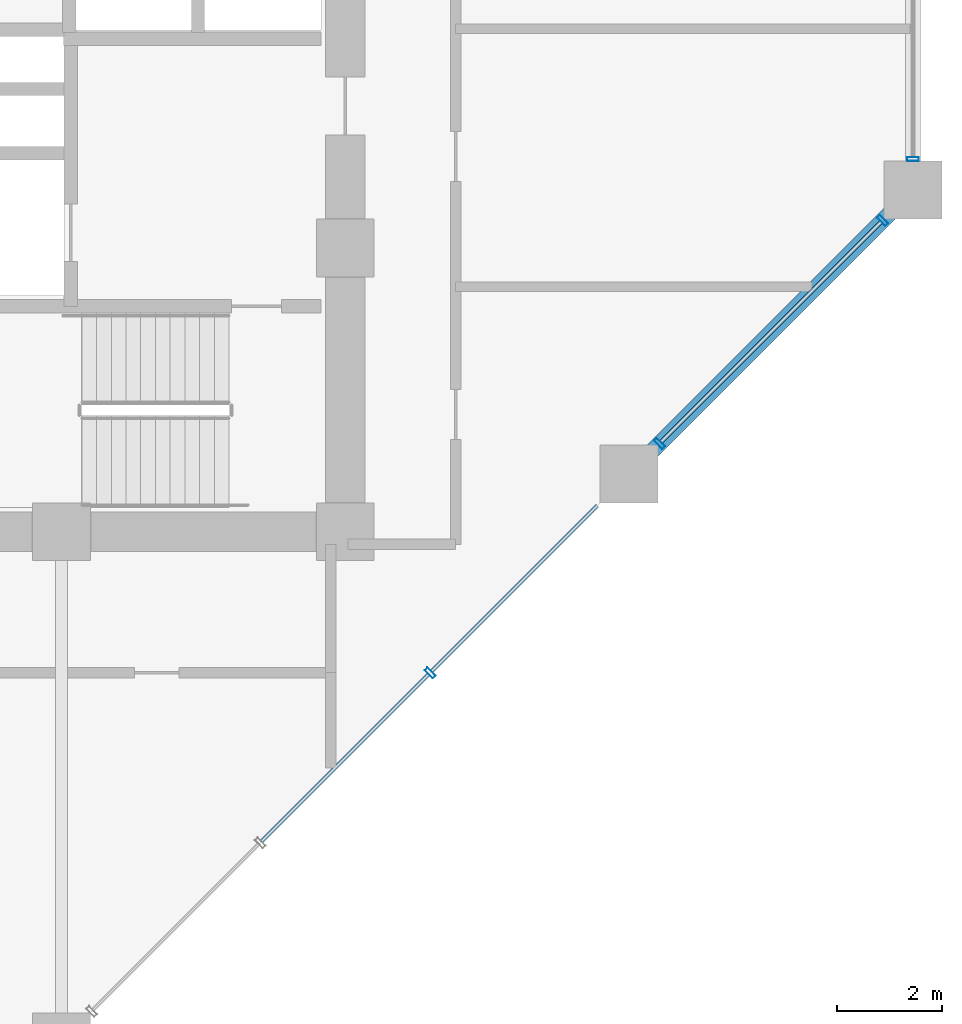
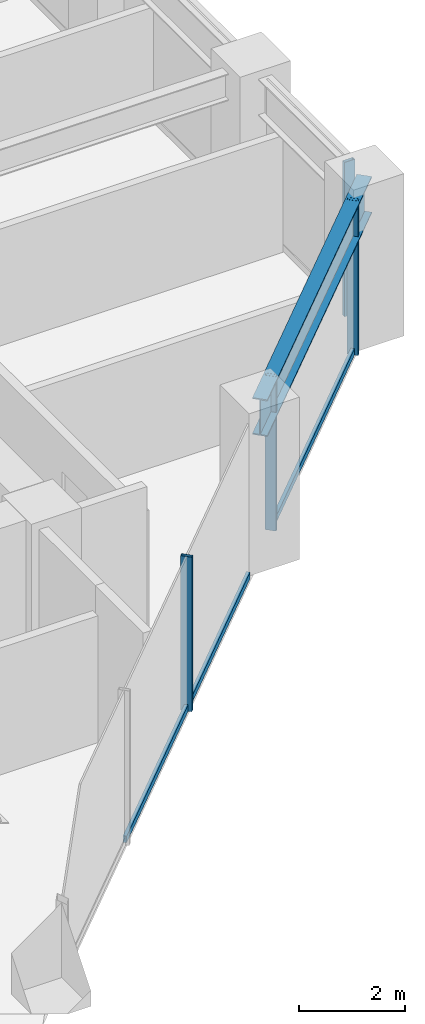
# One storey, part 8 of 25: 7 members, 1 beam, 2 elements without a shape of their own.
"""IFC4 building model written with IfcOpenShell, lengths in metres."""

from ifc_helpers import new_model, si_unit, direction, frame, origin, origin_2d, place, context, subcontext, project, spatial, hollow_rectangle, i_section, extrude, material, layer, layer_set, material_profile, profile_set, type_object, element, aggregate, save


model = new_model("IFC4")

# Units and contexts
model_context = context("Model", 3, precision=1e-05, world=origin(), true_north=direction((0.0, 1.0)))
body_context = subcontext(model_context, "Body", "Model", "MODEL_VIEW")
ifc_project = project(units=[si_unit("LENGTHUNIT", "METRE"), si_unit("AREAUNIT", "SQUARE_METRE"), si_unit("VOLUMEUNIT", "CUBIC_METRE"), si_unit("PLANEANGLEUNIT", "RADIAN"), si_unit("MASSUNIT", "GRAM", prefix="KILO")], contexts=[model_context])

# Site, building, storey
site_placement = place(None, origin())
site = spatial("IfcSite", under=ifc_project, at=site_placement, CompositionType="ELEMENT")
building_placement = place(site_placement, origin())
building = spatial("IfcBuilding", under=site, at=building_placement, Name="Surkhivell Harbour Commons", CompositionType="ELEMENT")
storey_placement = place(building_placement, frame((0.0, 0.0, 113.25)))
storey = spatial("IfcBuildingStorey", under=building, at=storey_placement, Name="L29", CompositionType="ELEMENT", Elevation=113.25)

# Beam
ifc_material_1 = material(Name="Steel S460", Category="steel")
ifc_material_profile_1 = material_profile(ifc_material_1, i_section(OverallWidth=0.2939453125, OverallDepth=0.85107421875, WebThickness=0.01611328125, FlangeThickness=0.02685546875, at=origin_2d()), Name="UB838x292x226")
ifc_profile_set_1 = profile_set([ifc_material_profile_1], Name="Steel S460")
beam_type = type_object("IfcBeamType", Name="BM-SPN-838", PredefinedType="SPANDREL", material=ifc_profile_set_1)
beam_placement = place(storey_placement, frame((16.199951171875, -9.699951171875, 3.14453125), z_axis=(0.707122765516, 0.707090796496, 0.0), x_axis=(-0.707090796496, 0.707122765516, 0.0)))
element("IfcBeam", 1, at=beam_placement, inside=storey, type_object=beam_type, Name="L29 Tube Spandrel (16.2,-9.7)", PredefinedType="SPANDREL", context=body_context, shape_type="SweptSolid", body=[
    extrude(i_section(OverallWidth=0.2939453125, OverallDepth=0.85107421875, WebThickness=0.01611328125, FlangeThickness=0.02685546875, at=origin_2d()), origin(), (0.0, 0.0, 1.0), 7.63671875),
])

# Curtain wall, members
ifc_material_2 = material(Name="Anodised pale-metal aluminium and insulated glazing", Category="aluminium")
ifc_layer = layer(ifc_material_2, 0.205078125)
ifc_layer_set = layer_set([ifc_layer], Name="Anodised pale-metal aluminium and insulated glazing")
curtain_wall_type = type_object("IfcCurtainWallType", Name="CW-SYS-Z2", PredefinedType="NOTDEFINED", material=ifc_layer_set)
curtain_wall_1_placement = place(storey_placement, origin())
curtain_wall_1 = element("IfcCurtainWall", 2, at=curtain_wall_1_placement, inside=storey, type_object=curtain_wall_type, Name="L29 Curtain Wall CW-L29-E01", PredefinedType="NOTDEFINED")
ifc_material_3 = material(Name="Anodised pale-metal aluminium alloy 6063-T6", Category="aluminium")
ifc_material_profile_2 = material_profile(ifc_material_3, hollow_rectangle(XDim=0.074951171875, YDim=0.219970703125, WallThickness=0.00390625, at=origin_2d()), Name="ALU-MULL-75x220")
ifc_profile_set_2 = profile_set([ifc_material_profile_2], Name="Anodised pale-metal aluminium alloy 6063-T6")
member_type_1 = type_object("IfcMemberType", Name="CWM-220", PredefinedType="MULLION", material=ifc_profile_set_2)
member_1_placement = place(storey_placement, frame((12.416015625, -13.48388671875, 0.0), z_axis=(0.0, 0.0, 1.0), x_axis=(0.707106781187, 0.707106781187, 0.0)))
member_1 = element("IfcMember", 3, at=member_1_placement, type_object=member_type_1, Name="CW-Z2 mullion 4", PredefinedType="MULLION", context=body_context, shape_type="SweptSolid", body=[
    extrude(hollow_rectangle(XDim=0.074951171875, YDim=0.219970703125, WallThickness=0.00390625, at=origin_2d()), origin(), (0.0, 0.0, 1.0), 3.570068359375),
])
member_2_placement = place(storey_placement, frame((16.7783203125, -9.121826171875, 0.0), z_axis=(0.0, 0.0, 1.0), x_axis=(0.707106781187, 0.707106781187, 0.0)))
member_2 = element("IfcMember", 4, at=member_2_placement, type_object=member_type_1, Name="CW-Z2 mullion 5", PredefinedType="MULLION", context=body_context, shape_type="SweptSolid", body=[
    extrude(hollow_rectangle(XDim=0.074951171875, YDim=0.219970703125, WallThickness=0.00390625, at=origin_2d()), origin(), (0.0, 0.0, 1.0), 3.570068359375),
])
member_3_placement = place(storey_placement, frame((21.021728515625, -4.878173828125, 0.0), z_axis=(0.0, 0.0, 1.0), x_axis=(0.707106781187, 0.707106781187, 0.0)))
member_3 = element("IfcMember", 5, at=member_3_placement, type_object=member_type_1, Name="CW-Z2 mullion 6", PredefinedType="MULLION", context=body_context, shape_type="SweptSolid", body=[
    extrude(hollow_rectangle(XDim=0.074951171875, YDim=0.219970703125, WallThickness=0.00390625, at=origin_2d()), origin(), (0.0, 0.0, 1.0), 3.570068359375),
])

# Curtain wall, member
curtain_wall_2_placement = place(storey_placement, origin())
curtain_wall_2 = element("IfcCurtainWall", 6, at=curtain_wall_2_placement, inside=storey, type_object=curtain_wall_type, Name="L29 Curtain Wall CW-L29-E02", PredefinedType="NOTDEFINED")
member_4_placement = place(storey_placement, frame((21.60009765625, -3.71044921875, 0.0), z_axis=(0.0, 0.0, 1.0), x_axis=(0.0, 1.0, 0.0)))
member_4 = element("IfcMember", 7, at=member_4_placement, type_object=member_type_1, Name="CW-Z2 mullion 1", PredefinedType="MULLION", context=body_context, shape_type="SweptSolid", body=[
    extrude(hollow_rectangle(XDim=0.074951171875, YDim=0.219970703125, WallThickness=0.00390625, at=origin_2d()), origin(), (0.0, 0.0, 1.0), 3.570068359375),
])
aggregate(curtain_wall_2, [member_4])

# Member
ifc_material_profile_3 = material_profile(ifc_material_3, hollow_rectangle(XDim=0.074951171875, YDim=0.14990234375, WallThickness=0.00341796875, at=origin_2d()), Name="ALU-TRAN-75x150")
ifc_profile_set_3 = profile_set([ifc_material_profile_3], Name="Anodised pale-metal aluminium alloy 6063-T6")
member_type_2 = type_object("IfcMemberType", Name="CWT-150", PredefinedType="USERDEFINED", material=ifc_profile_set_3)
member_5_placement = place(storey_placement, frame((9.21044921875, -16.689697265625, 0.074951171875), z_axis=(0.707106781187, 0.707106781187, 0.0), x_axis=(-0.707106781187, 0.707106781187, 0.0)))
member_5 = element("IfcMember", 8, at=member_5_placement, type_object=member_type_2, Name="CW-Z2 transom 3.1", ObjectType="TRANSOM", PredefinedType="USERDEFINED", context=body_context, shape_type="SweptSolid", body=[
    extrude(hollow_rectangle(XDim=0.074951171875, YDim=0.14990234375, WallThickness=0.00341796875, at=origin_2d()), origin(), (0.0, 0.0, 1.0), 4.49609375),
])

member_6_placement = place(storey_placement, frame((12.442626953125, -13.457275390625, 0.074951171875), z_axis=(0.707106781187, 0.707106781187, 0.0), x_axis=(-0.707106781187, 0.707106781187, 0.0)))
member_6 = element("IfcMember", 9, at=member_6_placement, type_object=member_type_2, Name="CW-Z2 transom 4.1", ObjectType="TRANSOM", PredefinedType="USERDEFINED", context=body_context, shape_type="SweptSolid", body=[
    extrude(hollow_rectangle(XDim=0.074951171875, YDim=0.14990234375, WallThickness=0.00341796875, at=origin_2d()), origin(), (0.0, 0.0, 1.0), 4.45849609375),
])

member_7_placement = place(storey_placement, frame((16.8046875, -9.09521484375, 0.074951171875), z_axis=(0.707127378829, 0.707086182944, 0.0), x_axis=(-0.707086182944, 0.707127378829, 0.0)))
member_7 = element("IfcMember", 10, at=member_7_placement, type_object=member_type_2, Name="CW-Z2 transom 5.1", ObjectType="TRANSOM", PredefinedType="USERDEFINED", context=body_context, shape_type="SweptSolid", body=[
    extrude(hollow_rectangle(XDim=0.074951171875, YDim=0.14990234375, WallThickness=0.00341796875, at=origin_2d()), origin(), (0.0, 0.0, 1.0), 5.92626953125),
])

aggregate(curtain_wall_1, [member_1, member_5, member_6, member_2, member_3, member_7])

save(model, "model.ifc")
